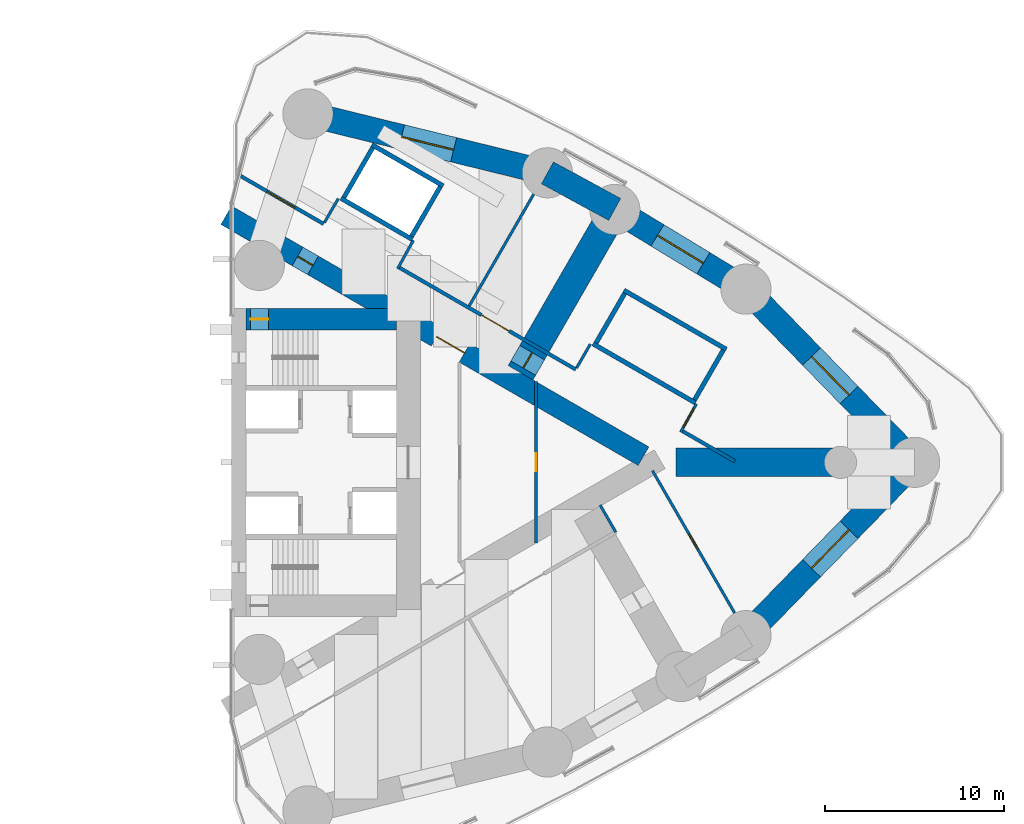
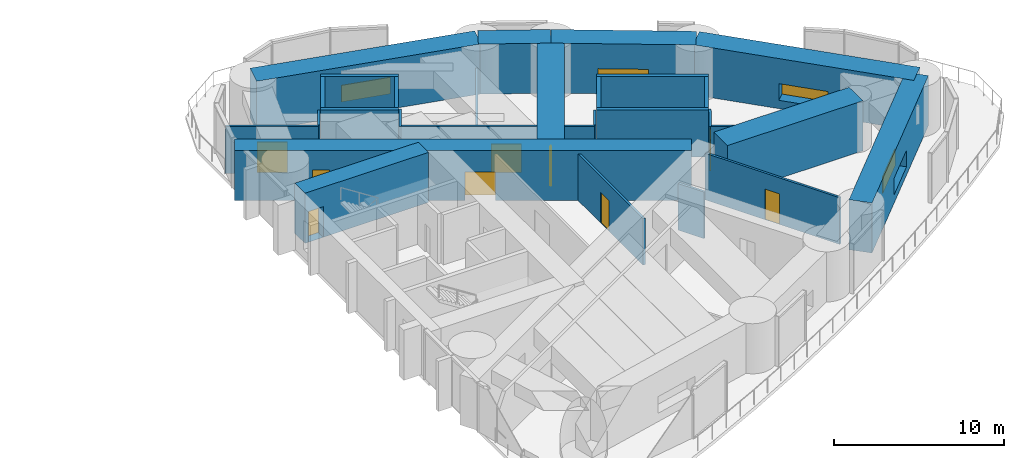
# One storey, part 14 of 17: 28 walls, 9 doors, 4 windows, 13 openings.
"""IFC4 building model written with IfcOpenShell, lengths in metres."""

from ifc_helpers import new_model, si_unit, direction, frame, frame_2d, origin, place, context, subcontext, project, spatial, rectangle, extrude, material, layer, layer_set, type_object, element, fill, save


model = new_model("IFC4")

# Units and contexts
model_context = context("Model", 3, precision=1e-05, world=origin(), true_north=direction((0.0, 1.0)))
body_context = subcontext(model_context, "Body", "Model", "MODEL_VIEW")
ifc_project = project(units=[si_unit("LENGTHUNIT", "METRE"), si_unit("AREAUNIT", "SQUARE_METRE"), si_unit("VOLUMEUNIT", "CUBIC_METRE"), si_unit("PLANEANGLEUNIT", "RADIAN"), si_unit("MASSUNIT", "GRAM", prefix="KILO")], contexts=[model_context])

# Site, building, storey
site_placement = place(None, origin())
site = spatial("IfcSite", under=ifc_project, at=site_placement, CompositionType="ELEMENT")
building_placement = place(site_placement, origin())
building = spatial("IfcBuilding", under=site, at=building_placement, Name="Lancet Gate Hotel", CompositionType="ELEMENT")
storey_placement = place(building_placement, frame((0.0, 0.0, 152.699951171875)))
storey = spatial("IfcBuildingStorey", under=building, at=storey_placement, Name="L40", CompositionType="ELEMENT", Elevation=152.699951171875)

# Wall, opening, window
ifc_material_1 = material(Name="Concrete C80/95", Category="concrete")
ifc_layer_1 = layer(ifc_material_1, 1.39990234375)
ifc_layer_set_1 = layer_set([ifc_layer_1], Name="Belt wall 1400")
wall_type_1 = type_object("IfcWallType", Name="Belt wall 1400", PredefinedType="SHEAR", material=ifc_layer_set_1)
wall_1_placement = place(storey_placement, frame((56.220947265625, -9.67236328125, 0.0), z_axis=(0.0, 0.0, 1.0), x_axis=(0.697649905443, 0.716438838587, 0.0)))
wall_1 = element("IfcWall", 1, at=wall_1_placement, inside=storey, type_object=wall_type_1, Name="T2 belt wall OS3-CA L40", PredefinedType="SHEAR", context=body_context, shape_type="SweptSolid", body=[
    extrude(rectangle(XDim=13.500732421875, YDim=1.39990234375, at=frame_2d((6.75048828125, 0.0))), origin(), (0.0, 0.0, 1.0), 3.60009765625),
])
opening_1_placement = place(wall_1_placement, frame((5.25048828125, 0.0, 0.60009765625)))
opening_1 = element("IfcOpeningElement", 2, at=opening_1_placement, cuts=wall_1, Name="Opening LV1", PredefinedType="OPENING", context=body_context, shape_type="SweptSolid", body=[
    extrude(rectangle(XDim=3.0, YDim=1.199951171875, at=frame_2d((1.5, 0.60009765625))), frame((0.0, 0.7099609375, 0.0), z_axis=(0.0, -1.0, 0.0), x_axis=(1.0, 0.0, 0.0)), (0.0, 0.0, 1.0), 1.419921875),
])
ifc_material_2 = material(Name="Aluminium weather louvre", Category="aluminium")
window_type = type_object("IfcWindowType", Name="Refuge louvre 3000x1200", PartitioningType="SINGLE_PANEL", PredefinedType="WINDOW", material=ifc_material_2)
window_1_placement = place(opening_1_placement, origin())
window_1 = element("IfcWindow", 3, at=window_1_placement, inside=storey, type_object=window_type, Name="T2 belt louvre OS3-CA L40", OverallHeight=1.199951171875, OverallWidth=3.0, PartitioningType="SINGLE_PANEL", PredefinedType="WINDOW", context=body_context, shape_type="SweptSolid", body=[
    extrude(rectangle(XDim=3.0, YDim=1.199951171875, at=frame_2d((1.5, 0.60009765625))), frame((0.0, 0.030029296875, 0.0), z_axis=(0.0, -1.0, 0.0), x_axis=(1.0, 0.0, 0.0)), (0.0, 0.0, 1.0), 0.06005859375),
])
fill(opening_1, window_1)

wall_2_placement = place(storey_placement, frame((65.6396484375, 0.0, 0.0), z_axis=(0.0, 0.0, 1.0), x_axis=(-0.697649905443, 0.716438838587, 0.0)))
wall_2 = element("IfcWall", 4, at=wall_2_placement, inside=storey, type_object=wall_type_1, Name="T2 belt wall CA-ON1 L40", PredefinedType="SHEAR", context=body_context, shape_type="SweptSolid", body=[
    extrude(rectangle(XDim=13.500732421875, YDim=1.39990234375, at=frame_2d((6.75048828125, 0.0))), origin(), (0.0, 0.0, 1.0), 3.60009765625),
])
opening_2_placement = place(wall_2_placement, frame((5.25048828125, 0.0, 0.60009765625)))
opening_2 = element("IfcOpeningElement", 5, at=opening_2_placement, cuts=wall_2, Name="Opening LV1", PredefinedType="OPENING", context=body_context, shape_type="SweptSolid", body=[
    extrude(rectangle(XDim=3.0, YDim=1.199951171875, at=frame_2d((1.5, 0.60009765625))), frame((0.0, 0.7099609375, 0.0), z_axis=(0.0, -1.0, 0.0), x_axis=(1.0, 0.0, 0.0)), (0.0, 0.0, 1.0), 1.419921875),
])
window_2_placement = place(opening_2_placement, origin())
window_2 = element("IfcWindow", 6, at=window_2_placement, inside=storey, type_object=window_type, Name="T2 belt louvre CA-ON1 L40", OverallHeight=1.199951171875, OverallWidth=3.0, PartitioningType="SINGLE_PANEL", PredefinedType="WINDOW", context=body_context, shape_type="SweptSolid", body=[
    extrude(rectangle(XDim=3.0, YDim=1.199951171875, at=frame_2d((1.5, 0.60009765625))), frame((0.0, 0.030029296875, 0.0), z_axis=(0.0, -1.0, 0.0), x_axis=(1.0, 0.0, 0.0)), (0.0, 0.0, 1.0), 0.06005859375),
])
fill(opening_2, window_2)

wall_3_placement = place(storey_placement, frame((56.220947265625, 9.67236328125, 0.0), z_axis=(0.0, 0.0, 1.0), x_axis=(-0.854692251129, 0.519135007353, 0.0)))
wall_3 = element("IfcWall", 7, at=wall_3_placement, inside=storey, type_object=wall_type_1, Name="T2 belt wall ON1-ON2 L40", PredefinedType="SHEAR", context=body_context, shape_type="SweptSolid", body=[
    extrude(rectangle(XDim=8.568603515625, YDim=1.39990234375, at=frame_2d((4.2841796875, 0.0))), origin(), (0.0, 0.0, 1.0), 3.60009765625),
])
opening_3_placement = place(wall_3_placement, frame((2.7841796875, 0.0, 0.60009765625)))
opening_3 = element("IfcOpeningElement", 8, at=opening_3_placement, cuts=wall_3, Name="Opening LV1", PredefinedType="OPENING", context=body_context, shape_type="SweptSolid", body=[
    extrude(rectangle(XDim=3.0, YDim=1.199951171875, at=frame_2d((1.5, 0.60009765625))), frame((0.0, 0.7099609375, 0.0), z_axis=(0.0, -1.0, 0.0), x_axis=(1.0, 0.0, 0.0)), (0.0, 0.0, 1.0), 1.419921875),
])
window_3_placement = place(opening_3_placement, origin())
window_3 = element("IfcWindow", 9, at=window_3_placement, inside=storey, type_object=window_type, Name="T2 belt louvre ON1-ON2 L40", OverallHeight=1.199951171875, OverallWidth=3.0, PartitioningType="SINGLE_PANEL", PredefinedType="WINDOW", context=body_context, shape_type="SweptSolid", body=[
    extrude(rectangle(XDim=3.0, YDim=1.199951171875, at=frame_2d((1.5, 0.60009765625))), frame((0.0, 0.030029296875, 0.0), z_axis=(0.0, -1.0, 0.0), x_axis=(1.0, 0.0, 0.0)), (0.0, 0.0, 1.0), 0.06005859375),
])
fill(opening_3, window_3)

# Wall
wall_4_placement = place(storey_placement, frame((48.8974609375, 14.12060546875, 0.0), z_axis=(0.0, 0.0, 1.0), x_axis=(-0.878404597051, 0.477917737566, 0.0)))
element("IfcWall", 10, at=wall_4_placement, inside=storey, type_object=wall_type_1, Name="T2 belt wall ON2-ON3 L40", PredefinedType="SHEAR", context=body_context, shape_type="SweptSolid", body=[
    extrude(rectangle(XDim=4.284912109375, YDim=1.39990234375, at=frame_2d((2.142578125, 0.0))), origin(), (0.0, 0.0, 1.0), 3.60009765625),
])

# Wall, opening, window
wall_5_placement = place(storey_placement, frame((45.133544921875, 16.16845703125, 0.0), z_axis=(0.0, 0.0, 1.0), x_axis=(-0.971093253227, 0.238700426344, 0.0)))
wall_5 = element("IfcWall", 11, at=wall_5_placement, inside=storey, type_object=wall_type_1, Name="T2 belt wall ON3-CN L40", PredefinedType="SHEAR", context=body_context, shape_type="SweptSolid", body=[
    extrude(rectangle(XDim=13.77197265625, YDim=1.39990234375, at=frame_2d((6.885986328125, 0.0))), origin(), (0.0, 0.0, 1.0), 3.60009765625),
])
opening_4_placement = place(wall_5_placement, frame((5.385986328125, 0.0, 0.60009765625)))
opening_4 = element("IfcOpeningElement", 12, at=opening_4_placement, cuts=wall_5, Name="Opening LV1", PredefinedType="OPENING", context=body_context, shape_type="SweptSolid", body=[
    extrude(rectangle(XDim=3.0, YDim=1.199951171875, at=frame_2d((1.5, 0.60009765625))), frame((0.0, 0.7099609375, 0.0), z_axis=(0.0, -1.0, 0.0), x_axis=(1.0, 0.0, 0.0)), (0.0, 0.0, 1.0), 1.419921875),
])
window_4_placement = place(opening_4_placement, origin())
window_4 = element("IfcWindow", 13, at=window_4_placement, inside=storey, type_object=window_type, Name="T2 belt louvre ON3-CN L40", OverallHeight=1.199951171875, OverallWidth=3.0, PartitioningType="SINGLE_PANEL", PredefinedType="WINDOW", context=body_context, shape_type="SweptSolid", body=[
    extrude(rectangle(XDim=3.0, YDim=1.199951171875, at=frame_2d((1.5, 0.60009765625))), frame((0.0, 0.030029296875, 0.0), z_axis=(0.0, -1.0, 0.0), x_axis=(1.0, 0.0, 0.0)), (0.0, 0.0, 1.0), 0.06005859375),
])
fill(opening_4, window_4)

# Wall, openings, doors
ifc_material_3 = material(Name="Concrete C70/85", Category="concrete")
ifc_layer_2 = layer(ifc_material_3, 1.199951171875)
ifc_layer_set_2 = layer_set([ifc_layer_2], Name="Buttress wall 1200")
wall_type_2 = type_object("IfcWallType", Name="Buttress wall 1200", PredefinedType="SHEAR", material=ifc_layer_set_2)
wall_6_placement = place(storey_placement, frame((27.199951171875, 13.800048828125, 0.0), z_axis=(0.0, 0.0, 1.0), x_axis=(0.866024515034, -0.500001539357, 0.0)))
wall_6 = element("IfcWall", 14, at=wall_6_placement, inside=storey, type_object=wall_type_2, Name="T2 buttress wall N L40", PredefinedType="SHEAR", context=body_context, shape_type="SweptSolid", body=[
    extrude(rectangle(XDim=26.9072265625, YDim=1.199951171875, at=frame_2d((13.45361328125, 0.0))), origin(), (0.0, 0.0, 1.0), 3.60009765625),
])
opening_5_placement = place(wall_6_placement, frame((4.60009765625, 0.0, 0.0)))
opening_5 = element("IfcOpeningElement", 15, at=opening_5_placement, cuts=wall_6, Name="Opening T2-L40-LN", PredefinedType="OPENING", context=body_context, shape_type="SweptSolid", body=[
    extrude(rectangle(XDim=1.0, YDim=2.199951171875, at=frame_2d((0.5, 1.10009765625))), frame((0.0, 0.60986328125, 0.0), z_axis=(0.0, -1.0, 0.0), x_axis=(1.0, 0.0, 0.0)), (0.0, 0.0, 1.0), 1.219970703125),
])
opening_6_placement = place(wall_6_placement, frame((13.567626953125, 0.0, 0.0)))
opening_6 = element("IfcOpeningElement", 16, at=opening_6_placement, cuts=wall_6, Name="Opening T2-L40-LHN", PredefinedType="OPENING", context=body_context, shape_type="SweptSolid", body=[
    extrude(rectangle(XDim=1.800048828125, YDim=2.0400390625, at=frame_2d((0.89990234375, 1.02001953125))), frame((0.0, 0.60986328125, 0.0), z_axis=(0.0, -1.0, 0.0), x_axis=(1.0, 0.0, 0.0)), (0.0, 0.0, 1.0), 1.219970703125),
])
ifc_material_4 = material(Name="Timber door set", Category="wood")
door_type_1 = type_object("IfcDoorType", Name="Lobby double door 1800, 2040 high", OperationType="DOUBLE_DOOR_SINGLE_SWING", PredefinedType="DOOR", material=ifc_material_4)
door_1_placement = place(opening_6_placement, origin())
door_1 = element("IfcDoor", 17, at=door_1_placement, inside=storey, type_object=door_type_1, Name="T2-L40-LHN", OperationType="DOUBLE_DOOR_SINGLE_SWING", OverallHeight=2.0400390625, OverallWidth=1.800048828125, PredefinedType="DOOR", context=body_context, shape_type="SweptSolid", body=[
    extrude(rectangle(XDim=1.800048828125, YDim=2.0400390625, at=frame_2d((0.89990234375, 1.02001953125))), frame((0.0, 0.02490234375, 0.0), z_axis=(0.0, -1.0, 0.0), x_axis=(1.0, 0.0, 0.0)), (0.0, 0.0, 1.0), 0.050048828125),
])
fill(opening_6, door_1)
ifc_material_5 = material(Name="Timber door set", Category="wood")
door_type_2 = type_object("IfcDoorType", Name="Stair lobby door 1000", OperationType="SINGLE_SWING_LEFT", PredefinedType="DOOR", material=ifc_material_5)
door_2_placement = place(opening_5_placement, origin())
door_2 = element("IfcDoor", 18, at=door_2_placement, inside=storey, type_object=door_type_2, Name="T2-L40-LN", OperationType="SINGLE_SWING_LEFT", OverallHeight=2.199951171875, OverallWidth=1.0, PredefinedType="DOOR", context=body_context, shape_type="SweptSolid", body=[
    extrude(rectangle(XDim=1.0, YDim=2.199951171875, at=frame_2d((0.5, 1.10009765625))), frame((0.0, 0.02490234375, 0.0), z_axis=(0.0, -1.0, 0.0), x_axis=(1.0, 0.0, 0.0)), (0.0, 0.0, 1.0), 0.050048828125),
])
fill(opening_5, door_2)

# Wall, opening, door
ifc_material_6 = material(Name="Concrete C70/85", Category="concrete")
ifc_layer_3 = layer(ifc_material_6, 1.199951171875)
ifc_layer_set_3 = layer_set([ifc_layer_3], Name="Core wall 1200")
wall_type_3 = type_object("IfcWallType", Name="Core wall 1200", PredefinedType="SHEAR", material=ifc_layer_set_3)
wall_7_placement = place(storey_placement, frame((28.300048828125, 8.0, 0.0), z_axis=(0.0, 0.0, 1.0), x_axis=(1.0, 0.0, 0.0)))
wall_7 = element("IfcWall", 19, at=wall_7_placement, inside=storey, type_object=wall_type_3, Name="T2 core wall side-N L40", PredefinedType="SHEAR", context=body_context, shape_type="SweptSolid", body=[
    extrude(rectangle(XDim=8.39990234375, YDim=1.199951171875, at=frame_2d((4.199951171875, 0.0))), origin(), (0.0, 0.0, 1.0), 3.60009765625),
])
opening_7_placement = place(wall_7_placement, frame((0.25, 0.0, 0.0)))
opening_7 = element("IfcOpeningElement", 20, at=opening_7_placement, cuts=wall_7, Name="Opening T2-L40-ST2", PredefinedType="OPENING", context=body_context, shape_type="SweptSolid", body=[
    extrude(rectangle(XDim=1.0, YDim=2.199951171875, at=frame_2d((0.5, 1.10009765625))), frame((0.0, 0.60986328125, 0.0), z_axis=(0.0, -1.0, 0.0), x_axis=(1.0, 0.0, 0.0)), (0.0, 0.0, 1.0), 1.219970703125),
])
ifc_material_7 = material(Name="Timber door set", Category="wood")
door_type_3 = type_object("IfcDoorType", Name="Stair door 1000", OperationType="SINGLE_SWING_RIGHT", PredefinedType="DOOR", material=ifc_material_7)
door_3_placement = place(opening_7_placement, origin())
door_3 = element("IfcDoor", 21, at=door_3_placement, inside=storey, type_object=door_type_3, Name="T2-L40-ST2", OperationType="SINGLE_SWING_RIGHT", OverallHeight=2.199951171875, OverallWidth=1.0, PredefinedType="DOOR", context=body_context, shape_type="SweptSolid", body=[
    extrude(rectangle(XDim=1.0, YDim=2.199951171875, at=frame_2d((0.5, 1.10009765625))), frame((0.0, 0.02490234375, 0.0), z_axis=(0.0, -1.0, 0.0), x_axis=(1.0, 0.0, 0.0)), (0.0, 0.0, 1.0), 0.050048828125),
])
fill(opening_7, door_3)

ifc_material_8 = material(Name="Gypsum board partition")
ifc_layer_4 = layer(ifc_material_8, 0.199951171875)
ifc_layer_set_4 = layer_set([ifc_layer_4], Name="Corridor wall 200")
wall_type_4 = type_object("IfcWallType", Name="Corridor wall 200", PredefinedType="PARTITIONING", material=ifc_layer_set_4)
wall_8_placement = place(storey_placement, frame((27.902587890625, 16.05029296875, 0.0), z_axis=(0.0, 0.0, 1.0), x_axis=(0.866019186459, -0.50001076857, 0.0)))
wall_8 = element("IfcWall", 22, at=wall_8_placement, inside=storey, type_object=wall_type_4, Name="T2 corridor wall 200 L40", PredefinedType="PARTITIONING", context=body_context, shape_type="SweptSolid", body=[
    extrude(rectangle(XDim=5.47314453125, YDim=0.199951171875, at=frame_2d((2.736572265625, 0.0))), origin(), (0.0, 0.0, 1.0), 3.35009765625),
])
opening_8_placement = place(wall_8_placement, frame((1.83642578125, 0.0, 0.0)))
opening_8 = element("IfcOpeningElement", 23, at=opening_8_placement, cuts=wall_8, Name="Opening T2-L40-RD08", PredefinedType="OPENING", context=body_context, shape_type="SweptSolid", body=[
    extrude(rectangle(XDim=1.800048828125, YDim=2.199951171875, at=frame_2d((0.89990234375, 1.10009765625))), frame((0.0, 0.10986328125, 0.0), z_axis=(0.0, -1.0, 0.0), x_axis=(1.0, 0.0, 0.0)), (0.0, 0.0, 1.0), 0.219970703125),
])
ifc_material_9 = material(Name="Timber door set", Category="wood")
door_type_4 = type_object("IfcDoorType", Name="Double door 1800", OperationType="DOUBLE_DOOR_SINGLE_SWING", PredefinedType="DOOR", material=ifc_material_9)
door_4_placement = place(opening_8_placement, origin())
door_4 = element("IfcDoor", 24, at=door_4_placement, inside=storey, type_object=door_type_4, Name="T2-L40-RD08", OperationType="DOUBLE_DOOR_SINGLE_SWING", OverallHeight=2.199951171875, OverallWidth=1.800048828125, PredefinedType="DOOR", context=body_context, shape_type="SweptSolid", body=[
    extrude(rectangle(XDim=1.800048828125, YDim=2.199951171875, at=frame_2d((0.89990234375, 1.10009765625))), frame((0.0, 0.02490234375, 0.0), z_axis=(0.0, -1.0, 0.0), x_axis=(1.0, 0.0, 0.0)), (0.0, 0.0, 1.0), 0.050048828125),
])
fill(opening_8, door_4)

wall_9_placement = place(storey_placement, frame((36.833984375, 10.8935546875, 0.0), z_axis=(0.0, 0.0, 1.0), x_axis=(0.866031655879, -0.499989170898, 0.0)))
wall_9 = element("IfcWall", 25, at=wall_9_placement, inside=storey, type_object=wall_type_4, Name="T2 corridor wall 200 L40", PredefinedType="PARTITIONING", context=body_context, shape_type="SweptSolid", body=[
    extrude(rectangle(XDim=11.409912109375, YDim=0.199951171875, at=frame_2d((5.705078125, 0.0))), origin(), (0.0, 0.0, 1.0), 3.35009765625),
])
opening_9_placement = place(wall_9_placement, frame((5.322509765625, 0.0, 0.0)))
opening_9 = element("IfcOpeningElement", 26, at=opening_9_placement, cuts=wall_9, Name="Opening T2-L40-RD07", PredefinedType="OPENING", context=body_context, shape_type="SweptSolid", body=[
    extrude(rectangle(XDim=1.800048828125, YDim=2.0400390625, at=frame_2d((0.89990234375, 1.02001953125))), frame((0.0, 0.10986328125, 0.0), z_axis=(0.0, -1.0, 0.0), x_axis=(1.0, 0.0, 0.0)), (0.0, 0.0, 1.0), 0.219970703125),
])
ifc_material_10 = material(Name="Timber door set", Category="wood")
door_type_5 = type_object("IfcDoorType", Name="Double door 1800, 2040 high", OperationType="DOUBLE_DOOR_SINGLE_SWING", PredefinedType="DOOR", material=ifc_material_10)
door_5_placement = place(opening_9_placement, origin())
door_5 = element("IfcDoor", 27, at=door_5_placement, inside=storey, type_object=door_type_5, Name="T2-L40-RD07", OperationType="DOUBLE_DOOR_SINGLE_SWING", OverallHeight=2.0400390625, OverallWidth=1.800048828125, PredefinedType="DOOR", context=body_context, shape_type="SweptSolid", body=[
    extrude(rectangle(XDim=1.800048828125, YDim=2.0400390625, at=frame_2d((0.89990234375, 1.02001953125))), frame((0.0, 0.02490234375, 0.0), z_axis=(0.0, -1.0, 0.0), x_axis=(1.0, 0.0, 0.0)), (0.0, 0.0, 1.0), 0.050048828125),
])
fill(opening_9, door_5)

# Walls
wall_10_placement = place(storey_placement, frame((52.63916015625, 1.7685546875, 0.0), z_axis=(0.0, 0.0, 1.0), x_axis=(0.866027340901, -0.4999966448, 0.0)))
element("IfcWall", 28, at=wall_10_placement, inside=storey, type_object=wall_type_4, Name="T2 corridor wall 200 L40", PredefinedType="PARTITIONING", context=body_context, shape_type="SweptSolid", body=[
    extrude(rectangle(XDim=3.4169921875, YDim=0.199951171875, at=frame_2d((1.70849609375, 0.0))), origin(), (0.0, 0.0, 1.0), 3.35009765625),
])
ifc_material_11 = material(Name="Gypsum board partition")
ifc_layer_5 = layer(ifc_material_11, 0.25)
ifc_layer_set_5 = layer_set([ifc_layer_5], Name="Lift shaft partition 250")
wall_type_5 = type_object("IfcWallType", Name="Lift shaft partition 250", PredefinedType="PARTITIONING", material=ifc_layer_set_5)
for number, where, z_axis, x_axis, name in (
    (29, (33.6083984375, 14.747314453125, 0.0), (0.0, 0.0, 1.0), (0.866043305498, -0.49996899204, 0.0), "T2 lift shaft wall EX L40"),
    (30, (35.33349609375, 17.73583984375, 0.0), (0.0, 0.0, 1.0), (0.866043305498, -0.49996899204, 0.0), "T2 lift shaft wall EX L40"),
):
    element("IfcWall", number, at=place(storey_placement, frame(where, z_axis=z_axis, x_axis=x_axis)), inside=storey, type_object=wall_type_5, Name=name, PredefinedType="PARTITIONING", context=body_context, shape_type="SweptSolid", body=[
        extrude(rectangle(XDim=4.600341796875, YDim=0.25, at=frame_2d((2.30029296875, 0.0))), origin(), (0.0, 0.0, 1.0), 3.35009765625),
    ])
for number, where, z_axis, x_axis, name in (
    (31, (33.779296875, 14.79296875, 0.0), (0.0, 0.0, 1.0), (0.499929347863, 0.866066190972, 0.0), "T2 lift shaft wall EX L40"),
    (32, (37.546630859375, 12.617919921875, 0.0), (0.0, 0.0, 1.0), (0.499929347863, 0.866066190972, 0.0), "T2 lift shaft wall EX L40"),
):
    element("IfcWall", number, at=place(storey_placement, frame(where, z_axis=z_axis, x_axis=x_axis)), inside=storey, type_object=wall_type_5, Name=name, PredefinedType="PARTITIONING", context=body_context, shape_type="SweptSolid", body=[
        extrude(rectangle(XDim=3.20068359375, YDim=0.25, at=frame_2d((1.600341796875, 0.0))), origin(), (0.0, 0.0, 1.0), 3.35009765625),
    ])
for number, where, z_axis, x_axis, name in (
    (33, (47.681396484375, 6.622314453125, 0.0), (0.0, 0.0, 1.0), (0.86603344179, -0.499986077507, 0.0), "T2 lift shaft wall HL L40"),
    (34, (49.406494140625, 9.61083984375, 0.0), (0.0, 0.0, 1.0), (0.86603344179, -0.499986077507, 0.0), "T2 lift shaft wall HL L40"),
):
    element("IfcWall", number, at=place(storey_placement, frame(where, z_axis=z_axis, x_axis=x_axis)), inside=storey, type_object=wall_type_5, Name=name, PredefinedType="PARTITIONING", context=body_context, shape_type="SweptSolid", body=[
        extrude(rectangle(XDim=6.600341796875, YDim=0.25, at=frame_2d((3.30029296875, 0.0))), origin(), (0.0, 0.0, 1.0), 3.35009765625),
    ])
wall_11_placement = place(storey_placement, frame((47.852294921875, 6.66796875, 0.0), z_axis=(0.0, 0.0, 1.0), x_axis=(0.499929347863, 0.866066190972, 0.0)))
element("IfcWall", 35, at=wall_11_placement, inside=storey, type_object=wall_type_5, Name="T2 lift shaft wall HL L40", PredefinedType="PARTITIONING", context=body_context, shape_type="SweptSolid", body=[
    extrude(rectangle(XDim=3.20068359375, YDim=0.25, at=frame_2d((1.600341796875, 0.0))), origin(), (0.0, 0.0, 1.0), 3.35009765625),
])
wall_12_placement = place(storey_placement, frame((53.351806640625, 3.492919921875, 0.0), z_axis=(0.0, 0.0, 1.0), x_axis=(0.499872130319, 0.866099216793, 0.0)))
element("IfcWall", 36, at=wall_12_placement, inside=storey, type_object=wall_type_5, Name="T2 lift shaft wall HL L40", PredefinedType="PARTITIONING", context=body_context, shape_type="SweptSolid", body=[
    extrude(rectangle(XDim=3.200439453125, YDim=0.25, at=frame_2d((1.60009765625, 0.0))), origin(), (0.0, 0.0, 1.0), 3.35009765625),
])
ifc_material_12 = material(Name="Concrete C80/95", Category="concrete")
ifc_layer_6 = layer(ifc_material_12, 1.60009765625)
ifc_layer_set_6 = layer_set([ifc_layer_6], Name="Outrigger wall 1600")
wall_type_6 = type_object("IfcWallType", Name="Outrigger wall 1600", PredefinedType="SHEAR", material=ifc_layer_set_6)
wall_13_placement = place(storey_placement, frame((52.30224609375, 0.0, 0.0), z_axis=(0.0, 0.0, 1.0), x_axis=(1.0, 0.0, 0.0)))
element("IfcWall", 37, at=wall_13_placement, inside=storey, type_object=wall_type_6, Name="T2 outrigger wall CA L40", PredefinedType="SHEAR", context=body_context, shape_type="SweptSolid", body=[
    extrude(rectangle(XDim=9.19775390625, YDim=1.60009765625, at=frame_2d((4.598876953125, 0.0))), origin(), (0.0, 0.0, 1.0), 3.60009765625),
])

# Wall, opening, door
wall_14_placement = place(storey_placement, frame((43.63427734375, 5.00439453125, 0.0), z_axis=(0.0, 0.0, 1.0), x_axis=(0.499995493849, 0.866028005396, 0.0)))
wall_14 = element("IfcWall", 38, at=wall_14_placement, inside=storey, type_object=wall_type_6, Name="T2 outrigger wall ON2 L40", PredefinedType="SHEAR", context=body_context, shape_type="SweptSolid", body=[
    extrude(rectangle(XDim=10.5263671875, YDim=1.60009765625, at=frame_2d((5.26318359375, 0.0))), origin(), (0.0, 0.0, 1.0), 3.60009765625),
])
opening_10_placement = place(wall_14_placement, frame((0.300048828125, 0.0, 0.0)))
opening_10 = element("IfcOpeningElement", 39, at=opening_10_placement, cuts=wall_14, Name="Opening T2-L40-LNO", PredefinedType="OPENING", context=body_context, shape_type="SweptSolid", body=[
    extrude(rectangle(XDim=1.0, YDim=2.199951171875, at=frame_2d((0.5, 1.10009765625))), frame((0.0, 0.81005859375, 0.0), z_axis=(0.0, -1.0, 0.0), x_axis=(1.0, 0.0, 0.0)), (0.0, 0.0, 1.0), 1.6201171875),
])
ifc_material_13 = material(Name="Timber door set", Category="wood")
door_type_6 = type_object("IfcDoorType", Name="Corridor door 1000", OperationType="SINGLE_SWING_LEFT", PredefinedType="DOOR", material=ifc_material_13)
door_6_placement = place(opening_10_placement, origin())
door_6 = element("IfcDoor", 40, at=door_6_placement, inside=storey, type_object=door_type_6, Name="T2-L40-LNO", OperationType="SINGLE_SWING_LEFT", OverallHeight=2.199951171875, OverallWidth=1.0, PredefinedType="DOOR", context=body_context, shape_type="SweptSolid", body=[
    extrude(rectangle(XDim=1.0, YDim=2.199951171875, at=frame_2d((0.5, 1.10009765625))), frame((0.0, 0.02490234375, 0.0), z_axis=(0.0, -1.0, 0.0), x_axis=(1.0, 0.0, 0.0)), (0.0, 0.0, 1.0), 0.050048828125),
])
fill(opening_10, door_6)

ifc_material_14 = material(Name="Gypsum board partition")
ifc_layer_7 = layer(ifc_material_14, 0.14990234375)
ifc_layer_set_7 = layer_set([ifc_layer_7], Name="Party wall 150")
wall_type_7 = type_object("IfcWallType", Name="Party wall 150", PredefinedType="PARTITIONING", material=ifc_layer_set_7)
wall_15_placement = place(storey_placement, frame((55.58349609375, -8.4013671875, 0.0), z_axis=(0.0, 0.0, 1.0), x_axis=(-0.499997575924, 0.866026803321, 0.0)))
wall_15 = element("IfcWall", 41, at=wall_15_placement, inside=storey, type_object=wall_type_7, Name="T2 party wall 150 L40", PredefinedType="PARTITIONING", context=body_context, shape_type="SweptSolid", body=[
    extrude(rectangle(XDim=9.16650390625, YDim=0.14990234375, at=frame_2d((4.583251953125, 0.0))), origin(), (0.0, 0.0, 1.0), 3.35009765625),
])
opening_11_placement = place(wall_15_placement, frame((4.083251953125, 0.0, 0.0)))
opening_11 = element("IfcOpeningElement", 42, at=opening_11_placement, cuts=wall_15, Name="Opening T2-L40-RD04", PredefinedType="OPENING", context=body_context, shape_type="SweptSolid", body=[
    extrude(rectangle(XDim=1.0, YDim=2.199951171875, at=frame_2d((0.5, 1.10009765625))), frame((0.0, 0.0849609375, 0.0), z_axis=(0.0, -1.0, 0.0), x_axis=(1.0, 0.0, 0.0)), (0.0, 0.0, 1.0), 0.169921875),
])
ifc_material_15 = material(Name="Timber door set", Category="wood")
door_type_7 = type_object("IfcDoorType", Name="Service door 1000", OperationType="SINGLE_SWING_LEFT", PredefinedType="DOOR", material=ifc_material_15)
door_7_placement = place(opening_11_placement, origin())
door_7 = element("IfcDoor", 43, at=door_7_placement, inside=storey, type_object=door_type_7, Name="T2-L40-RD04", OperationType="SINGLE_SWING_LEFT", OverallHeight=2.199951171875, OverallWidth=1.0, PredefinedType="DOOR", context=body_context, shape_type="SweptSolid", body=[
    extrude(rectangle(XDim=1.0, YDim=2.199951171875, at=frame_2d((0.5, 1.10009765625))), frame((0.0, 0.02490234375, 0.0), z_axis=(0.0, -1.0, 0.0), x_axis=(1.0, 0.0, 0.0)), (0.0, 0.0, 1.0), 0.050048828125),
])
fill(opening_11, door_7)

# Wall
wall_16_placement = place(storey_placement, frame((40.769287109375, 8.737060546875, 0.0), z_axis=(0.0, 0.0, 1.0), x_axis=(0.500013115284, 0.866017831539, 0.0)))
element("IfcWall", 44, at=wall_16_placement, inside=storey, type_object=wall_type_7, Name="T2 party wall 150 L40", PredefinedType="PARTITIONING", context=body_context, shape_type="SweptSolid", body=[
    extrude(rectangle(XDim=7.197998046875, YDim=0.14990234375, at=frame_2d((3.59912109375, 0.0))), origin(), (0.0, 0.0, 1.0), 2.400146484375),
])

# Wall, opening, door
ifc_material_16 = material(Name="Gypsum board partition")
ifc_layer_8 = layer(ifc_material_16, 0.14990234375)
ifc_layer_set_8 = layer_set([ifc_layer_8], Name="Service room wall 150")
wall_type_8 = type_object("IfcWallType", Name="Service room wall 150", PredefinedType="PARTITIONING", material=ifc_layer_set_8)
wall_17_placement = place(storey_placement, frame((52.576171875, 1.689453125, 0.0), z_axis=(0.0, 0.0, 1.0), x_axis=(0.485482130951, 0.874246590229, 0.0)))
wall_17 = element("IfcWall", 45, at=wall_17_placement, inside=storey, type_object=wall_type_8, Name="T2 service room wall 150 L40", PredefinedType="PARTITIONING", context=body_context, shape_type="SweptSolid", body=[
    extrude(rectangle(XDim=1.804931640625, YDim=0.14990234375, at=frame_2d((0.90234375, 0.0))), origin(), (0.0, 0.0, 1.0), 3.35009765625),
])
opening_12_placement = place(wall_17_placement, frame((0.284912109375, 0.0, 0.0)))
opening_12 = element("IfcOpeningElement", 46, at=opening_12_placement, cuts=wall_17, Name="Opening T2-L40-RD05", PredefinedType="OPENING", context=body_context, shape_type="SweptSolid", body=[
    extrude(rectangle(XDim=1.235107421875, YDim=2.199951171875, at=frame_2d((0.61767578125, 1.10009765625))), frame((0.0, 0.0849609375, 0.0), z_axis=(0.0, -1.0, 0.0), x_axis=(1.0, 0.0, 0.0)), (0.0, 0.0, 1.0), 0.169921875),
])
ifc_material_17 = material(Name="Timber door set", Category="wood")
door_type_8 = type_object("IfcDoorType", Name="Guest room entry door 950", OperationType="SINGLE_SWING_LEFT", PredefinedType="DOOR", material=ifc_material_17)
door_8_placement = place(opening_12_placement, origin())
door_8 = element("IfcDoor", 47, at=door_8_placement, inside=storey, type_object=door_type_8, Name="T2-L40-RD05", OperationType="SINGLE_SWING_LEFT", OverallHeight=2.199951171875, OverallWidth=1.235107421875, PredefinedType="DOOR", context=body_context, shape_type="SweptSolid", body=[
    extrude(rectangle(XDim=1.235107421875, YDim=2.199951171875, at=frame_2d((0.61767578125, 1.10009765625))), frame((0.0, 0.02490234375, 0.0), z_axis=(0.0, -1.0, 0.0), x_axis=(1.0, 0.0, 0.0)), (0.0, 0.0, 1.0), 0.050048828125),
])
fill(opening_12, door_8)

# Walls
wall_18_placement = place(storey_placement, frame((36.77099609375, 10.814453125, 0.0), z_axis=(0.0, 0.0, 1.0), x_axis=(0.485585508183, 0.874189175317, 0.0)))
element("IfcWall", 48, at=wall_18_placement, inside=storey, type_object=wall_type_8, Name="T2 service room wall 150 L40", PredefinedType="PARTITIONING", context=body_context, shape_type="SweptSolid", body=[
    extrude(rectangle(XDim=1.804931640625, YDim=0.14990234375, at=frame_2d((0.90234375, 0.0))), origin(), (0.0, 0.0, 1.0), 3.35009765625),
])
wall_19_placement = place(storey_placement, frame((32.6923828125, 13.400390625, 0.0), z_axis=(0.0, 0.0, 1.0), x_axis=(0.499985008713, 0.866034058835, 0.0)))
element("IfcWall", 49, at=wall_19_placement, inside=storey, type_object=wall_type_8, Name="T2 service room wall 150 L40", PredefinedType="PARTITIONING", context=body_context, shape_type="SweptSolid", body=[
    extrude(rectangle(XDim=1.529296875, YDim=0.14990234375, at=frame_2d((0.7646484375, 0.0))), origin(), (0.0, 0.0, 1.0), 3.35009765625),
])
wall_20_placement = place(storey_placement, frame((46.765380859375, 5.275146484375, 0.0), z_axis=(0.0, 0.0, 1.0), x_axis=(0.499915892944, 0.866073957571, 0.0)))
element("IfcWall", 50, at=wall_20_placement, inside=storey, type_object=wall_type_8, Name="T2 service room wall 150 L40", PredefinedType="PARTITIONING", context=body_context, shape_type="SweptSolid", body=[
    extrude(rectangle(XDim=1.529541015625, YDim=0.14990234375, at=frame_2d((0.7646484375, 0.0))), origin(), (0.0, 0.0, 1.0), 3.35009765625),
])
wall_21_placement = place(storey_placement, frame((48.95263671875, -3.89697265625, 0.0), z_axis=(0.0, 0.0, 1.0), x_axis=(-0.499980071345, 0.866036909293, 0.0)))
element("IfcWall", 51, at=wall_21_placement, inside=storey, type_object=wall_type_8, Name="T2 service room wall 150 L40", PredefinedType="PARTITIONING", context=body_context, shape_type="SweptSolid", body=[
    extrude(rectangle(XDim=1.75, YDim=0.14990234375, at=frame_2d((0.875, 0.0))), origin(), (0.0, 0.0, 1.0), 3.35009765625),
])

# Wall, opening, door
wall_22_placement = place(storey_placement, frame((44.5, -4.504638671875, 0.0), z_axis=(0.0, 0.0, 1.0), x_axis=(0.0, 1.0, 0.0)))
wall_22 = element("IfcWall", 52, at=wall_22_placement, inside=storey, type_object=wall_type_8, Name="T2 service room wall 150 L40", PredefinedType="PARTITIONING", context=body_context, shape_type="SweptSolid", body=[
    extrude(rectangle(XDim=9.00927734375, YDim=0.14990234375, at=frame_2d((4.504638671875, 0.0))), origin(), (0.0, 0.0, 1.0), 3.35009765625),
])
opening_13_placement = place(wall_22_placement, frame((4.004638671875, 0.0, 0.0)))
opening_13 = element("IfcOpeningElement", 53, at=opening_13_placement, cuts=wall_22, Name="Opening T2-L40-SV", PredefinedType="OPENING", context=body_context, shape_type="SweptSolid", body=[
    extrude(rectangle(XDim=1.0, YDim=2.199951171875, at=frame_2d((0.5, 1.10009765625))), frame((0.0, 0.0849609375, 0.0), z_axis=(0.0, -1.0, 0.0), x_axis=(1.0, 0.0, 0.0)), (0.0, 0.0, 1.0), 0.169921875),
])
door_9_placement = place(opening_13_placement, origin())
door_9 = element("IfcDoor", 54, at=door_9_placement, inside=storey, type_object=door_type_7, Name="T2-L40-SV", OperationType="SINGLE_SWING_LEFT", OverallHeight=2.199951171875, OverallWidth=1.0, PredefinedType="DOOR", context=body_context, shape_type="SweptSolid", body=[
    extrude(rectangle(XDim=1.0, YDim=2.199951171875, at=frame_2d((0.5, 1.10009765625))), frame((0.0, 0.02490234375, 0.0), z_axis=(0.0, -1.0, 0.0), x_axis=(1.0, 0.0, 0.0)), (0.0, 0.0, 1.0), 0.050048828125),
])
fill(opening_13, door_9)

save(model, "model.ifc")
